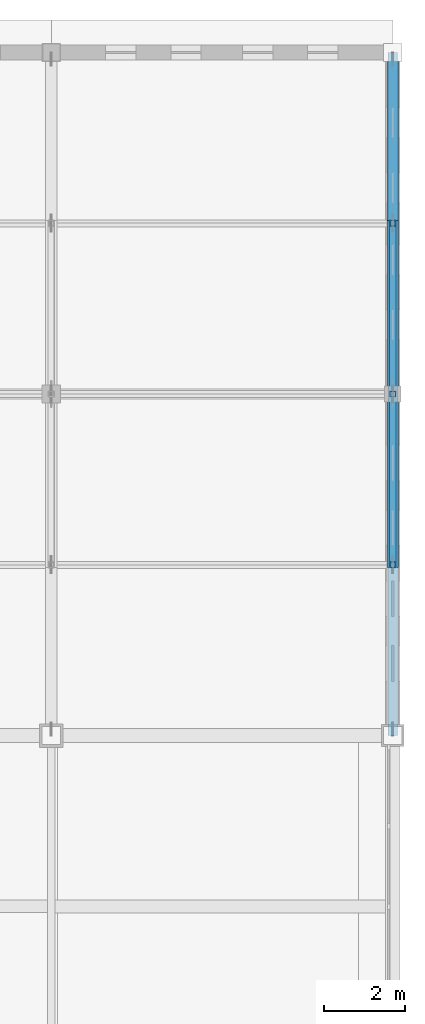
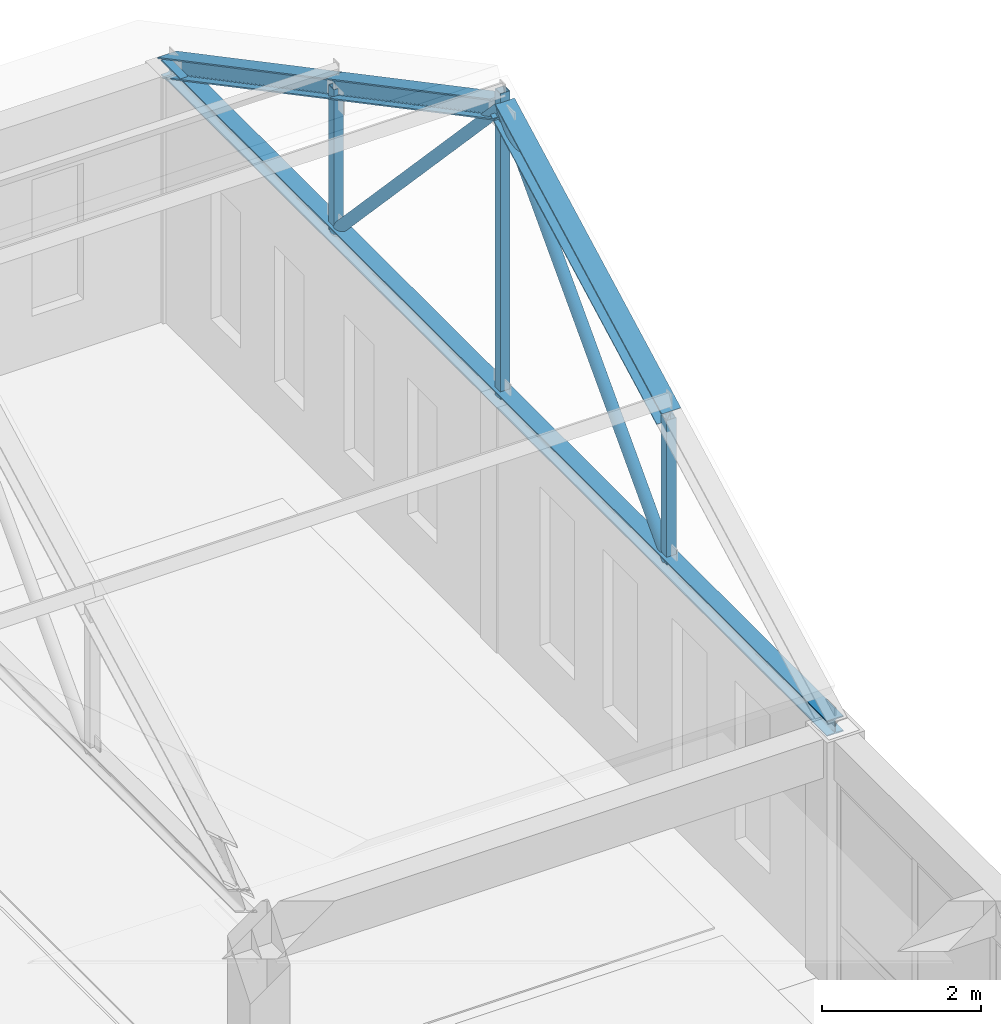
# One storey, part 28 of 56: 9 members.
"""IFC4 building model written with IfcOpenShell, lengths in metres."""

from ifc_helpers import new_model, si_unit, direction, frame, origin, origin_2d, place, context, subcontext, project, spatial, hollow_rectangle, hollow_circle, i_section, extrude, material, material_profile, profile_set, type_object, element, save


model = new_model("IFC4")

# Units and contexts
model_context = context("Model", 3, precision=1e-05, world=origin(), true_north=direction((0.0, 1.0)))
body_context = subcontext(model_context, "Body", "Model", "MODEL_VIEW")
ifc_project = project(units=[si_unit("LENGTHUNIT", "METRE"), si_unit("AREAUNIT", "SQUARE_METRE"), si_unit("VOLUMEUNIT", "CUBIC_METRE"), si_unit("PLANEANGLEUNIT", "RADIAN"), si_unit("MASSUNIT", "GRAM", prefix="KILO")], contexts=[model_context])

# Site, building, storey
site_placement = place(None, origin())
site = spatial("IfcSite", under=ifc_project, at=site_placement, CompositionType="ELEMENT")
building_placement = place(site_placement, origin())
building = spatial("IfcBuilding", under=site, at=building_placement, Name="Kveldsbrygga Polytechnic", CompositionType="ELEMENT")
storey_placement = place(building_placement, frame((0.0, 0.0, 18.02001953125)))
storey = spatial("IfcBuildingStorey", under=building, at=storey_placement, Name="L04", CompositionType="ELEMENT", Elevation=18.02001953125)

# Members
ifc_material = material(Name="Steel S355", Category="steel")
ifc_material_profile_1 = material_profile(ifc_material, hollow_circle(Radius=0.084228515625, WallThickness=0.010009765625, at=origin_2d()), Name="CHS 168.3x10.0")
ifc_profile_set_1 = profile_set([ifc_material_profile_1], Name="Steel S355")
member_type_1 = type_object("IfcMemberType", Name="BR-WIND-CHS168", PredefinedType="BRACE", material=ifc_profile_set_1)
for number, where, z_axis, x_axis, name in (
    (1, (168.0, 105.0, 3.780029296875), (0.0, 0.686383320151, 0.727239945148), (-1.0, 0.0, 0.0), "Truss Diagonal V4N5-T06-DG-2"),
    (2, (168.0, 109.199951171875, 8.22998046875), (0.0, 0.686383320151, -0.727239945148), (-1.0, 0.0, 0.0), "Truss Diagonal V4N5-T06-DG-3"),
):
    element("IfcMember", number, at=place(storey_placement, frame(where, z_axis=z_axis, x_axis=x_axis)), inside=storey, type_object=member_type_1, Name=name, PredefinedType="BRACE", context=body_context, shape_type="SweptSolid", body=[
        extrude(hollow_circle(Radius=0.084228515625, WallThickness=0.010009765625, at=origin_2d()), origin(), (0.0, 0.0, 1.0), 6.118896484375),
    ])
ifc_material_profile_2 = material_profile(ifc_material, i_section(OverallWidth=0.239990234375, OverallDepth=0.239990234375, WebThickness=0.010009765625, FlangeThickness=0.01708984375, FilletRadius=0.02099609375, at=origin_2d()), Name="HEB 240")
ifc_profile_set_2 = profile_set([ifc_material_profile_2], Name="Steel S355")
member_type_2 = type_object("IfcMemberType", Name="TR-BOT-HEB240", PredefinedType="CHORD", material=ifc_profile_set_2)
member_1_placement = place(storey_placement, frame((168.0, 100.800048828125, 3.780029296875), z_axis=(0.0, 1.0, 0.0), x_axis=(-1.0, 0.0, 0.0)))
element("IfcMember", 3, at=member_1_placement, inside=storey, type_object=member_type_2, Name="Truss Bottom Chord V4N5-T06-BC-1", PredefinedType="CHORD", context=body_context, shape_type="SweptSolid", body=[
    extrude(i_section(OverallWidth=0.239990234375, OverallDepth=0.239990234375, WebThickness=0.010009765625, FlangeThickness=0.01708984375, FilletRadius=0.02099609375, at=origin_2d()), origin(), (0.0, 0.0, 1.0), 16.800048828125),
])
ifc_material_profile_3 = material_profile(ifc_material, hollow_rectangle(XDim=0.139892578125, YDim=0.139892578125, WallThickness=0.008056640625, at=origin_2d()), Name="SHS 140x140x8.0")
ifc_profile_set_3 = profile_set([ifc_material_profile_3], Name="Steel S355")
member_type_3 = type_object("IfcMemberType", Name="TR-POST-SHS140", PredefinedType="STRUT", material=ifc_profile_set_3)
member_2_placement = place(storey_placement, frame((168.0, 105.0, 3.780029296875), z_axis=(0.0, 0.0, 1.0), x_axis=(1.0, 0.0, 0.0)))
element("IfcMember", 4, at=member_2_placement, inside=storey, type_object=member_type_3, Name="Truss Vertical V4N5-T06-VT-1", PredefinedType="STRUT", context=body_context, shape_type="SweptSolid", body=[
    extrude(hollow_rectangle(XDim=0.139892578125, YDim=0.139892578125, WallThickness=0.008056640625, at=origin_2d()), origin(), (0.0, 0.0, 1.0), 2.224853515625),
])
member_3_placement = place(storey_placement, frame((168.0, 109.199951171875, 3.780029296875), z_axis=(0.0, 0.0, 1.0), x_axis=(1.0, 0.0, 0.0)))
element("IfcMember", 5, at=member_3_placement, inside=storey, type_object=member_type_3, Name="Truss Vertical V4N5-T06-VT-2", PredefinedType="STRUT", context=body_context, shape_type="SweptSolid", body=[
    extrude(hollow_rectangle(XDim=0.139892578125, YDim=0.139892578125, WallThickness=0.008056640625, at=origin_2d()), origin(), (0.0, 0.0, 1.0), 4.710205078125),
])
member_4_placement = place(storey_placement, frame((168.0, 113.39990234375, 3.780029296875), z_axis=(0.0, 0.0, 1.0), x_axis=(1.0, 0.0, 0.0)))
element("IfcMember", 6, at=member_4_placement, inside=storey, type_object=member_type_3, Name="Truss Vertical V4N5-T06-VT-3", PredefinedType="STRUT", context=body_context, shape_type="SweptSolid", body=[
    extrude(hollow_rectangle(XDim=0.139892578125, YDim=0.139892578125, WallThickness=0.008056640625, at=origin_2d()), origin(), (0.0, 0.0, 1.0), 2.224853515625),
])
ifc_material_profile_4 = material_profile(ifc_material, i_section(OverallWidth=0.280029296875, OverallDepth=0.280029296875, WebThickness=0.010498046875, FlangeThickness=0.01806640625, FilletRadius=0.02392578125, at=origin_2d()), Name="HEB 280")
ifc_profile_set_4 = profile_set([ifc_material_profile_4], Name="Steel S355")
member_type_4 = type_object("IfcMemberType", Name="TR-TOP-HEB280", PredefinedType="CHORD", material=ifc_profile_set_4)
for number, where, z_axis, x_axis, name in (
    (7, (168.0, 105.0, 6.0048828125), (0.0, 0.883649189339, 0.468149666432), (-1.0, 0.0, 0.0), "Truss Top Chord V4N5-T06-TC-2"),
    (8, (168.0, 109.199951171875, 8.22998046875), (0.0, 0.883649189339, -0.468149666432), (-1.0, 0.0, 0.0), "Truss Top Chord V4N5-T06-TC-3"),
):
    element("IfcMember", number, at=place(storey_placement, frame(where, z_axis=z_axis, x_axis=x_axis)), inside=storey, type_object=member_type_4, Name=name, PredefinedType="CHORD", context=body_context, shape_type="SweptSolid", body=[
        extrude(i_section(OverallWidth=0.280029296875, OverallDepth=0.280029296875, WebThickness=0.010498046875, FlangeThickness=0.01806640625, FilletRadius=0.02392578125, at=origin_2d()), origin(), (0.0, 0.0, 1.0), 4.7529296875),
    ])
member_5_placement = place(storey_placement, frame((168.0, 113.39990234375, 6.0048828125), z_axis=(0.0, 0.883681693185, -0.468088309114), x_axis=(-1.0, 0.0, 0.0)))
element("IfcMember", 9, at=member_5_placement, inside=storey, type_object=member_type_4, Name="Truss Top Chord V4N5-T06-TC-4", PredefinedType="CHORD", context=body_context, shape_type="SweptSolid", body=[
    extrude(i_section(OverallWidth=0.280029296875, OverallDepth=0.280029296875, WebThickness=0.010498046875, FlangeThickness=0.01806640625, FilletRadius=0.02392578125, at=origin_2d()), origin(), (0.0, 0.0, 1.0), 4.753173828125),
])

save(model, "model.ifc")
